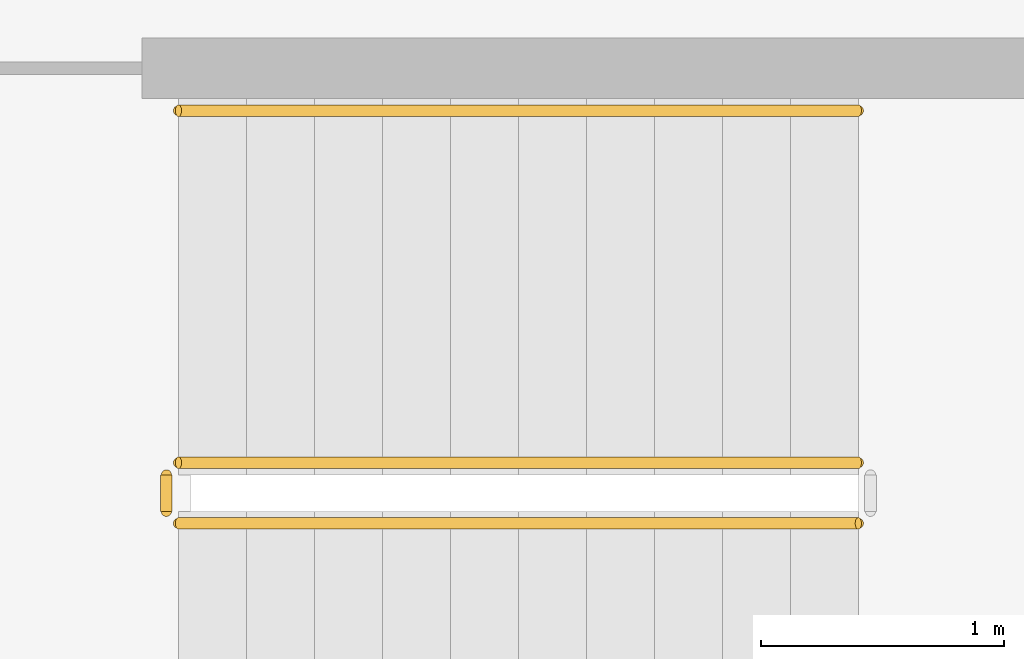
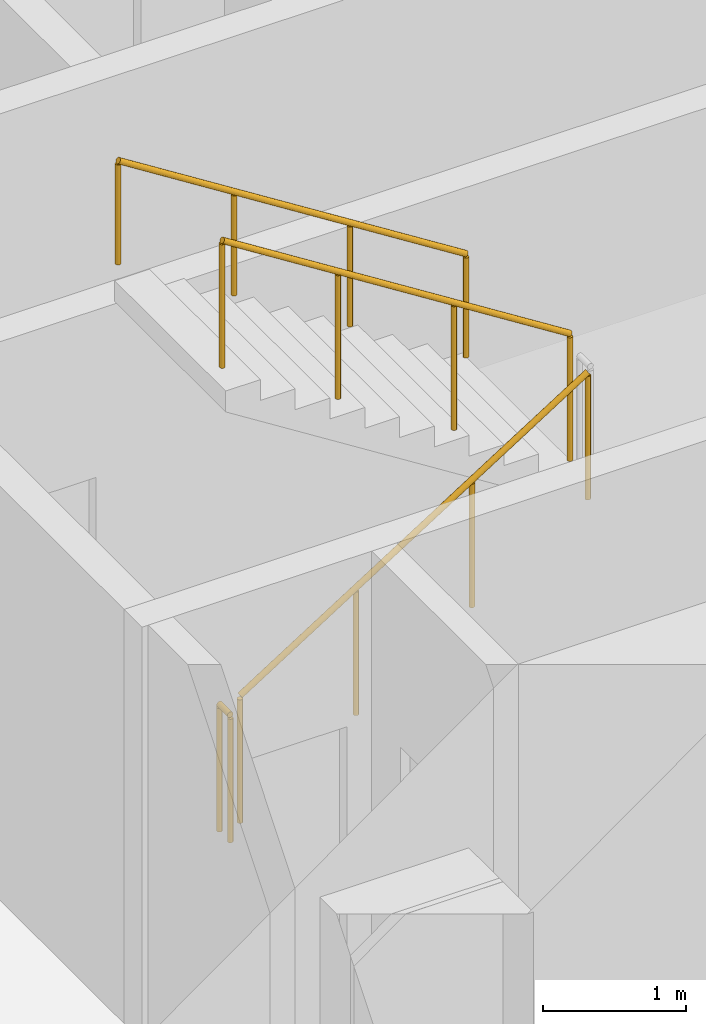
# One storey, part 11 of 18: 4 railings.
"""IFC4 building model written with IfcOpenShell, lengths in metres."""

from ifc_helpers import new_model, si_unit, direction, frame, origin, origin_2d, place, context, subcontext, project, spatial, circle, extrude, material, type_object, element, save


model = new_model("IFC4")

# Units and contexts
model_context = context("Model", 3, precision=1e-05, world=origin(), true_north=direction((0.0, 1.0)))
body_context = subcontext(model_context, "Body", "Model", "MODEL_VIEW")
ifc_project = project(units=[si_unit("LENGTHUNIT", "METRE"), si_unit("AREAUNIT", "SQUARE_METRE"), si_unit("VOLUMEUNIT", "CUBIC_METRE"), si_unit("PLANEANGLEUNIT", "RADIAN"), si_unit("MASSUNIT", "GRAM", prefix="KILO")], contexts=[model_context])

# Site, building, storey
site_placement = place(None, origin())
site = spatial("IfcSite", under=ifc_project, at=site_placement, CompositionType="ELEMENT")
building_placement = place(site_placement, origin())
building = spatial("IfcBuilding", under=site, at=building_placement, Name="Dhurran Vertical Campus", CompositionType="ELEMENT")
storey_placement = place(building_placement, frame((0.0, 0.0, 53.39990234375)))
storey = spatial("IfcBuildingStorey", under=building, at=storey_placement, Name="L12", CompositionType="ELEMENT", Elevation=53.39990234375)

# Railings
ifc_material_1 = material(Name="Stainless steel balustrade", Category="steel")
railing_type_1 = type_object("IfcRailingType", Name="co-RL-GUARD-1100", PredefinedType="GUARDRAIL", material=ifc_material_1)
railing_1_placement = place(storey_placement, frame((-11.10009765625, -9.14990234375, 0.177490234375)))
element("IfcRailing", 1, at=railing_1_placement, inside=storey, type_object=railing_type_1, Name="L12 ST3 stair guard 1", PredefinedType="GUARDRAIL", context=body_context, shape_type="SweptSolid", body=[
    extrude(circle(Radius=0.02392578125, at=origin_2d()), frame((0.0, 0.0, 1.076171875), z_axis=(0.844908973607, 0.0, 0.534910110503), x_axis=(0.0, 1.0, 0.0)), (0.0, 0.0, 1.0), 3.31396484375),
    extrude(circle(Radius=0.02099609375, at=origin_2d()), origin(), (0.0, 0.0, 1.0), 1.052001953125),
    extrude(circle(Radius=0.02099609375, at=origin_2d()), frame((0.933349609375, 0.0, 0.5908203125)), (0.0, 0.0, 1.0), 1.052001953125),
    extrude(circle(Radius=0.02099609375, at=origin_2d()), frame((1.86669921875, 0.0, 1.181884765625)), (0.0, 0.0, 1.0), 1.052001953125),
    extrude(circle(Radius=0.02099609375, at=origin_2d()), frame((2.800048828125, 0.0, 1.772705078125)), (0.0, 0.0, 1.0), 1.052001953125),
])
railing_2_placement = place(storey_placement, frame((-8.300048828125, -8.89990234375, 2.12744140625)))
element("IfcRailing", 2, at=railing_2_placement, inside=storey, type_object=railing_type_1, Name="L12 ST3 stair guard 3", PredefinedType="GUARDRAIL", context=body_context, shape_type="SweptSolid", body=[
    extrude(circle(Radius=0.02392578125, at=origin_2d()), frame((0.0, 0.0, 1.076171875), z_axis=(-0.844908973607, 0.0, 0.534910110503), x_axis=(0.0, -1.0, 0.0)), (0.0, 0.0, 1.0), 3.31396484375),
    extrude(circle(Radius=0.02099609375, at=origin_2d()), origin(), (0.0, 0.0, 1.0), 1.052001953125),
    extrude(circle(Radius=0.02099609375, at=origin_2d()), frame((-0.933349609375, 0.0, 0.5908203125)), (0.0, 0.0, 1.0), 1.052001953125),
    extrude(circle(Radius=0.02099609375, at=origin_2d()), frame((-1.86669921875, 0.0, 1.181884765625)), (0.0, 0.0, 1.0), 1.052001953125),
    extrude(circle(Radius=0.02099609375, at=origin_2d()), frame((-2.800048828125, 0.0, 1.772705078125)), (0.0, 0.0, 1.0), 1.052001953125),
])
railing_3_placement = place(storey_placement, frame((-11.14990234375, -9.10009765625, 0.0)))
element("IfcRailing", 3, at=railing_3_placement, inside=storey, type_object=railing_type_1, Name="L12 ST3 stair guard 4", PredefinedType="GUARDRAIL", context=body_context, shape_type="SweptSolid", body=[
    extrude(circle(Radius=0.02392578125, at=origin_2d()), frame((0.0, 0.0, 1.076171875), z_axis=(0.0, 1.0, 0.0), x_axis=(-1.0, 0.0, 0.0)), (0.0, 0.0, 1.0), 0.150146484375),
    extrude(circle(Radius=0.02099609375, at=origin_2d()), origin(), (0.0, 0.0, 1.0), 1.052001953125),
    extrude(circle(Radius=0.02099609375, at=origin_2d()), frame((0.0, 0.150146484375, 0.0)), (0.0, 0.0, 1.0), 1.052001953125),
])
ifc_material_2 = material(Name="Stainless steel handrail", Category="steel")
railing_type_2 = type_object("IfcRailingType", Name="co-RL-HANDRAIL-900", PredefinedType="HANDRAIL", material=ifc_material_2)
railing_4_placement = place(storey_placement, frame((-8.300048828125, -7.449951171875, 2.12744140625)))
element("IfcRailing", 4, at=railing_4_placement, inside=storey, type_object=railing_type_2, Name="L12 ST3 stair handrail 2", PredefinedType="HANDRAIL", context=body_context, shape_type="SweptSolid", body=[
    extrude(circle(Radius=0.02392578125, at=origin_2d()), frame((0.0, 0.0, 0.8759765625), z_axis=(-0.844908973607, 0.0, 0.534910110503), x_axis=(0.0, -1.0, 0.0)), (0.0, 0.0, 1.0), 3.31396484375),
    extrude(circle(Radius=0.02099609375, at=origin_2d()), origin(), (0.0, 0.0, 1.0), 0.851806640625),
    extrude(circle(Radius=0.02099609375, at=origin_2d()), frame((-0.933349609375, 0.0, 0.5908203125)), (0.0, 0.0, 1.0), 0.851806640625),
    extrude(circle(Radius=0.02099609375, at=origin_2d()), frame((-1.86669921875, 0.0, 1.181884765625)), (0.0, 0.0, 1.0), 0.851806640625),
    extrude(circle(Radius=0.02099609375, at=origin_2d()), frame((-2.800048828125, 0.0, 1.772705078125)), (0.0, 0.0, 1.0), 0.851806640625),
])

save(model, "model.ifc")
